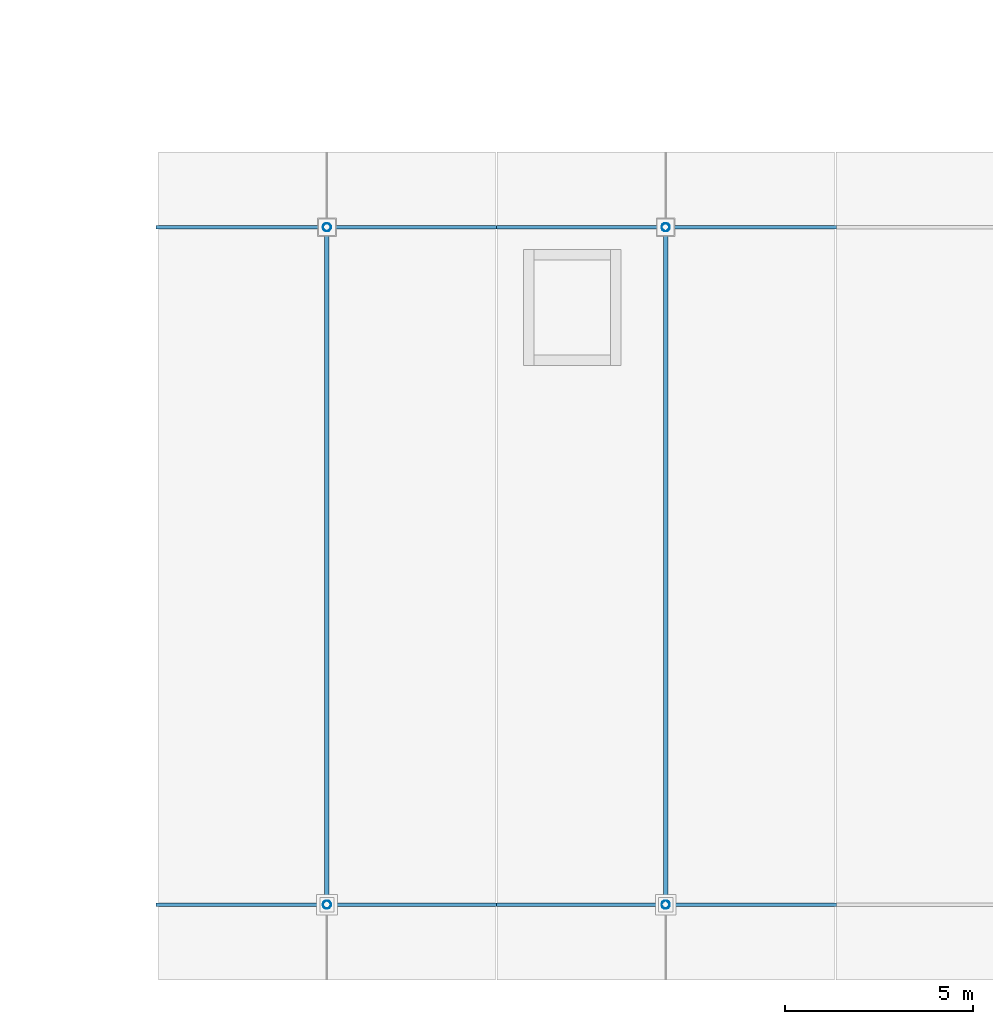
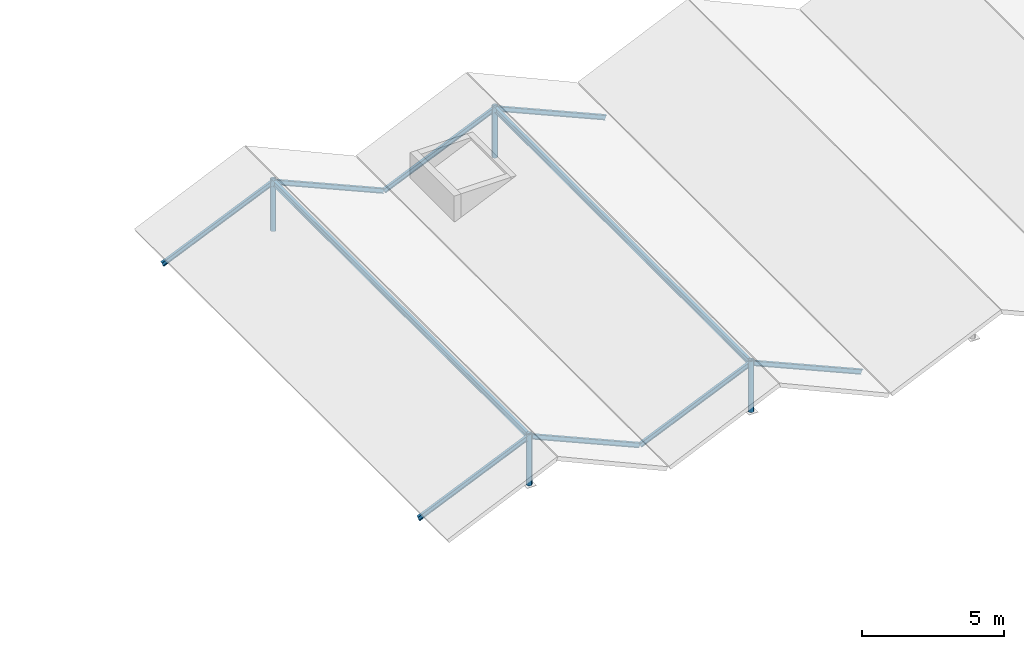
# One storey, part 9 of 70: 10 beams, 4 members.
"""IFC4 building model written with IfcOpenShell, lengths in metres."""

from ifc_helpers import new_model, si_unit, direction, frame, origin, origin_2d, place, context, subcontext, project, spatial, hollow_circle, i_section, extrude, material, material_profile, profile_set, type_object, element, save


model = new_model("IFC4")

# Units and contexts
model_context = context("Model", 3, precision=1e-05, world=origin(), true_north=direction((0.0, 1.0)))
body_context = subcontext(model_context, "Body", "Model", "MODEL_VIEW")
ifc_project = project(units=[si_unit("LENGTHUNIT", "METRE"), si_unit("AREAUNIT", "SQUARE_METRE"), si_unit("VOLUMEUNIT", "CUBIC_METRE"), si_unit("PLANEANGLEUNIT", "RADIAN"), si_unit("MASSUNIT", "GRAM", prefix="KILO")], contexts=[model_context])

# Site, building, storey
site_placement = place(None, origin())
site = spatial("IfcSite", under=ifc_project, at=site_placement, CompositionType="ELEMENT")
building_placement = place(site_placement, origin())
building = spatial("IfcBuilding", under=site, at=building_placement, Name="Zimvara Arc Housing Community", CompositionType="ELEMENT")
storey_placement = place(building_placement, frame((0.0, 0.0, 8.10009765625)))
storey = spatial("IfcBuildingStorey", under=building, at=storey_placement, Name="L02", CompositionType="ELEMENT", Elevation=8.10009765625)

# Beams
ifc_material_1 = material(Name="Steel S355", Category="steel")
ifc_material_profile_1 = material_profile(ifc_material_1, i_section(OverallWidth=0.10009765625, OverallDepth=0.199951171875, WebThickness=0.005615234375, FlangeThickness=0.008544921875, FilletRadius=0.011962890625, at=origin_2d()), Name="IPE 200")
ifc_profile_set_1 = profile_set([ifc_material_profile_1], Name="Steel S355")
beam_type_1 = type_object("IfcBeamType", Name="BM-ST-IPE200", PredefinedType="JOIST", material=ifc_profile_set_1)
for number, where, z_axis, x_axis, name in (
    (1, (112.0, 3.60009765625, -0.64013671875), (0.916813652849, 0.0, 0.399315321456), (0.0, 1.0, 0.0), "bm:nursery:L02:raf_w:b0:y0"),
    (2, (116.5, 3.60009765625, 1.31982421875), (0.916813652849, 0.0, -0.399315321456), (0.0, 1.0, 0.0), "bm:nursery:L02:raf_e:b0:y0"),
    (3, (112.0, 21.60009765625, -0.64013671875), (0.916813652849, 0.0, 0.399315321456), (0.0, 1.0, 0.0), "bm:nursery:L02:raf_w:b0:y1"),
    (4, (116.5, 21.60009765625, 1.31982421875), (0.916813652849, 0.0, -0.399315321456), (0.0, 1.0, 0.0), "bm:nursery:L02:raf_e:b0:y1"),
    (5, (121.0, 3.60009765625, -0.64013671875), (0.916813652849, 0.0, 0.399315321456), (0.0, 1.0, 0.0), "bm:nursery:L02:raf_w:b1:y0"),
    (6, (125.5, 3.60009765625, 1.31982421875), (0.916813652849, 0.0, -0.399315321456), (0.0, 1.0, 0.0), "bm:nursery:L02:raf_e:b1:y0"),
    (7, (121.0, 21.60009765625, -0.64013671875), (0.916813652849, 0.0, 0.399315321456), (0.0, 1.0, 0.0), "bm:nursery:L02:raf_w:b1:y1"),
    (8, (125.5, 21.60009765625, 1.31982421875), (0.916813652849, 0.0, -0.399315321456), (0.0, 1.0, 0.0), "bm:nursery:L02:raf_e:b1:y1"),
):
    element("IfcBeam", number, at=place(storey_placement, frame(where, z_axis=z_axis, x_axis=x_axis)), inside=storey, type_object=beam_type_1, Name=name, PredefinedType="JOIST", context=body_context, shape_type="SweptSolid", body=[
        extrude(i_section(OverallWidth=0.10009765625, OverallDepth=0.199951171875, WebThickness=0.005615234375, FlangeThickness=0.008544921875, FilletRadius=0.011962890625, at=origin_2d()), origin(), (0.0, 0.0, 1.0), 4.908203125),
    ])
ifc_material_2 = material(Name="Steel S355", Category="steel")
ifc_material_profile_2 = material_profile(ifc_material_2, i_section(OverallWidth=0.1201171875, OverallDepth=0.239990234375, WebThickness=0.006103515625, FlangeThickness=0.009765625, FilletRadius=0.014892578125, at=origin_2d()), Name="IPE 240")
ifc_profile_set_2 = profile_set([ifc_material_profile_2], Name="Steel S355")
beam_type_2 = type_object("IfcBeamType", Name="BM-ST-IPE240", PredefinedType="JOIST", material=ifc_profile_set_2)
for number, where, z_axis, x_axis, name in (
    (9, (116.5, 3.60009765625, 1.31982421875), (0.0, 1.0, 0.0), (-1.0, 0.0, 0.0), "bm:nursery:L02:crest_bm:b0"),
    (10, (125.5, 3.60009765625, 1.31982421875), (0.0, 1.0, 0.0), (-1.0, 0.0, 0.0), "bm:nursery:L02:crest_bm:b1"),
):
    element("IfcBeam", number, at=place(storey_placement, frame(where, z_axis=z_axis, x_axis=x_axis)), inside=storey, type_object=beam_type_2, Name=name, PredefinedType="JOIST", context=body_context, shape_type="SweptSolid", body=[
        extrude(i_section(OverallWidth=0.1201171875, OverallDepth=0.239990234375, WebThickness=0.006103515625, FlangeThickness=0.009765625, FilletRadius=0.014892578125, at=origin_2d()), origin(), (0.0, 0.0, 1.0), 18.0),
    ])

# Members
ifc_material_3 = material(Name="Steel S355", Category="steel")
ifc_material_profile_3 = material_profile(ifc_material_3, hollow_circle(Radius=0.109619140625, WallThickness=0.008056640625, at=origin_2d()), Name="CHS 219.1x8.0")
ifc_profile_set_3 = profile_set([ifc_material_profile_3], Name="Steel S355")
member_type = type_object("IfcMemberType", Name="MB-STRUT-CHS219", PredefinedType="STRUT", material=ifc_profile_set_3)
for number, where, z_axis, x_axis, name in (
    (11, (116.5, 3.60009765625, -0.75), (0.0, 0.0, 1.0), (1.0, 0.0, 0.0), "mb:nursery:L02:crest_strut:b0:y0"),
    (12, (116.5, 21.60009765625, -0.75), (0.0, 0.0, 1.0), (1.0, 0.0, 0.0), "mb:nursery:L02:crest_strut:b0:y1"),
    (13, (125.5, 3.60009765625, -0.75), (0.0, 0.0, 1.0), (1.0, 0.0, 0.0), "mb:nursery:L02:crest_strut:b1:y0"),
    (14, (125.5, 21.60009765625, -0.75), (0.0, 0.0, 1.0), (1.0, 0.0, 0.0), "mb:nursery:L02:crest_strut:b1:y1"),
):
    element("IfcMember", number, at=place(storey_placement, frame(where, z_axis=z_axis, x_axis=x_axis)), inside=storey, type_object=member_type, Name=name, PredefinedType="STRUT", context=body_context, shape_type="SweptSolid", body=[
        extrude(hollow_circle(Radius=0.109619140625, WallThickness=0.008056640625, at=origin_2d()), origin(), (0.0, 0.0, 1.0), 2.199951171875),
    ])

save(model, "model.ifc")
